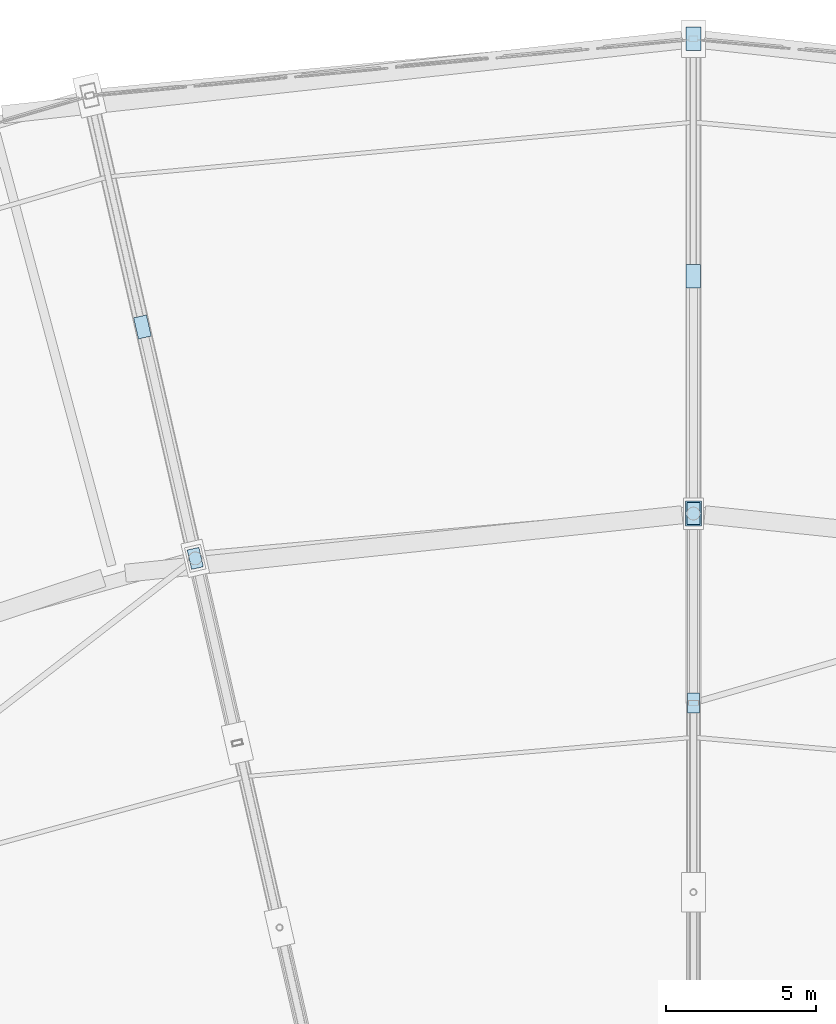
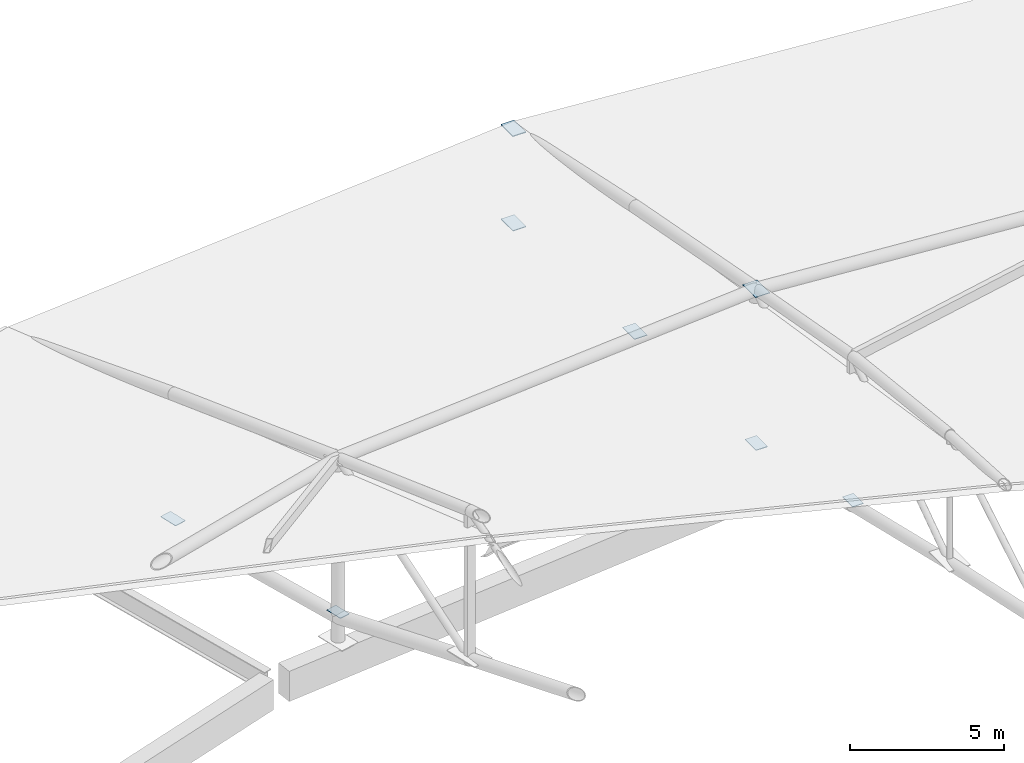
# One storey, part 99 of 108: 9 plates.
"""IFC4 building model written with IfcOpenShell, lengths in metres."""

from ifc_helpers import new_model, si_unit, direction, frame, origin, origin_2d, place, context, subcontext, project, spatial, rectangle, extrude, material, layer, layer_set, type_object, element, save


model = new_model("IFC4")

# Units and contexts
model_context = context("Model", 3, precision=1e-05, world=origin(), true_north=direction((0.0, 1.0)))
body_context = subcontext(model_context, "Body", "Model", "MODEL_VIEW")
ifc_project = project(units=[si_unit("LENGTHUNIT", "METRE"), si_unit("AREAUNIT", "SQUARE_METRE"), si_unit("VOLUMEUNIT", "CUBIC_METRE"), si_unit("PLANEANGLEUNIT", "RADIAN"), si_unit("MASSUNIT", "GRAM", prefix="KILO")], contexts=[model_context])

# Site, building, storey
site_placement = place(None, origin())
site = spatial("IfcSite", under=ifc_project, at=site_placement, CompositionType="ELEMENT")
building_placement = place(site_placement, origin())
building = spatial("IfcBuilding", under=site, at=building_placement, Name="Zevraka Park Crest Stadium", CompositionType="ELEMENT")
storey_placement = place(building_placement, frame((0.0, 0.0, 29.39990234375)))
storey = spatial("IfcBuildingStorey", under=building, at=storey_placement, Name="RF", CompositionType="ELEMENT", Elevation=29.39990234375)

# Plates
ifc_material_1 = material(Name="Steel S355", Category="steel")
ifc_layer_1 = layer(ifc_material_1, 0.02490234375)
ifc_layer_set_1 = layer_set([ifc_layer_1], Name="Steel S355")
plate_type_1 = type_object("IfcPlateType", Name="EC01", PredefinedType="SHEET", material=ifc_layer_set_1)
plate_1_placement = place(storey_placement, frame((112.0, 151.5, 7.1982421875), z_axis=(0.0, 0.0, 1.0), x_axis=(0.0, 1.0, 0.0)))
element("IfcPlate", 1, at=plate_1_placement, inside=storey, type_object=plate_type_1, Name="Hollow Strut Top Closure Cap Plate EC01 T08-2", PredefinedType="SHEET", context=body_context, shape_type="SweptSolid", body=[
    extrude(rectangle(XDim=0.840087890625, YDim=0.5400390625, at=origin_2d()), origin(), (0.0, 0.0, 1.0), 0.02490234375),
])
ifc_material_2 = material(Name="Steel S355", Category="steel")
ifc_layer_2 = layer(ifc_material_2, 0.02490234375)
ifc_layer_set_2 = layer_set([ifc_layer_2], Name="Steel S355")
plate_type_2 = type_object("IfcPlateType", Name="EC02", PredefinedType="SHEET", material=ifc_layer_set_2)
for number, where, z_axis, x_axis, name in (
    (2, (112.0, 167.300048828125, 3.998046875), (0.0, 0.0, 1.0), (0.0, 1.0, 0.0), "Hollow Strut Top Closure Cap Plate EC02 T08-0"),
    (3, (112.0, 167.300048828125, 0.237548828125), (0.0, 0.0, 1.0), (0.0, 1.0, 0.0), "TN5 Hollow Chord End Cap Plate EC02 T08-HEEL-B"),
    (4, (112.0, 167.300048828125, 3.987548828125), (0.0, 0.0, 1.0), (0.0, 1.0, 0.0), "TN5 Hollow Chord End Cap Plate EC02 T08-HEEL-T"),
):
    element("IfcPlate", number, at=place(storey_placement, frame(where, z_axis=z_axis, x_axis=x_axis)), inside=storey, type_object=plate_type_2, Name=name, PredefinedType="SHEET", context=body_context, shape_type="SweptSolid", body=[
        extrude(rectangle(XDim=0.780029296875, YDim=0.5, at=origin_2d()), origin(), (0.0, 0.0, 1.0), 0.02490234375),
    ])
ifc_material_3 = material(Name="Steel S355", Category="steel")
ifc_layer_3 = layer(ifc_material_3, 0.02197265625)
ifc_layer_set_3 = layer_set([ifc_layer_3], Name="Steel S355")
plate_type_3 = type_object("IfcPlateType", Name="GP08", PredefinedType="USERDEFINED", material=ifc_layer_set_3)
plate_2_placement = place(storey_placement, frame((112.0, 159.39990234375, 0.718994140625), z_axis=(0.0, 0.0, 1.0), x_axis=(0.0, 1.0, 0.0)))
element("IfcPlate", 5, at=plate_2_placement, inside=storey, type_object=plate_type_3, Name="TN1 Truss Node Gusset Plate GP08 T08-1", ObjectType="GUSSET PLATE", PredefinedType="USERDEFINED", context=body_context, shape_type="SweptSolid", body=[
    extrude(rectangle(XDim=0.780029296875, YDim=0.47998046875, at=origin_2d()), origin(), (0.0, 0.0, 1.0), 0.02197265625),
])
ifc_material_4 = material(Name="Steel S355", Category="steel")
ifc_layer_4 = layer(ifc_material_4, 0.02197265625)
ifc_layer_set_4 = layer_set([ifc_layer_4], Name="Steel S355")
plate_type_4 = type_object("IfcPlateType", Name="GP09", PredefinedType="USERDEFINED", material=ifc_layer_set_4)
for number, where, z_axis, x_axis, name in (
    (6, (112.0, 151.5, 1.069091796875), (0.0, 0.0, 1.0), (0.0, 1.0, 0.0), "TN2 Truss Node Gusset Plate GP09 T08-2"),
    (7, (93.6640625, 157.7099609375, 0.718994140625), (0.0, 0.0, 1.0), (-0.222569549971, 0.974916814618, 0.0), "TN1 Truss Node Gusset Plate GP09 T09-1"),
):
    element("IfcPlate", number, at=place(storey_placement, frame(where, z_axis=z_axis, x_axis=x_axis)), inside=storey, type_object=plate_type_4, Name=name, ObjectType="GUSSET PLATE", PredefinedType="USERDEFINED", context=body_context, shape_type="SweptSolid", body=[
        extrude(rectangle(XDim=0.719970703125, YDim=0.43994140625, at=origin_2d()), origin(), (0.0, 0.0, 1.0), 0.02197265625),
    ])
ifc_material_5 = material(Name="Steel S355", Category="steel")
ifc_layer_5 = layer(ifc_material_5, 0.02001953125)
ifc_layer_set_5 = layer_set([ifc_layer_5], Name="Steel S355")
plate_type_5 = type_object("IfcPlateType", Name="GP10", PredefinedType="USERDEFINED", material=ifc_layer_set_5)
for number, where, z_axis, x_axis, name in (
    (8, (112.0, 145.199951171875, 2.6201171875), (0.0, 0.0, 1.0), (0.0, 1.0, 0.0), "TN3 Truss Node Gusset Plate GP10 T08-3"),
    (9, (95.422119140625, 150.008056640625, 1.070068359375), (0.0, 0.0, 1.0), (-0.222569549971, 0.974916814618, 0.0), "TN2 Truss Node Gusset Plate GP10 T09-2"),
):
    element("IfcPlate", number, at=place(storey_placement, frame(where, z_axis=z_axis, x_axis=x_axis)), inside=storey, type_object=plate_type_5, Name=name, ObjectType="GUSSET PLATE", PredefinedType="USERDEFINED", context=body_context, shape_type="SweptSolid", body=[
        extrude(rectangle(XDim=0.659912109375, YDim=0.39990234375, at=origin_2d()), origin(), (0.0, 0.0, 1.0), 0.02001953125),
    ])

save(model, "model.ifc")
